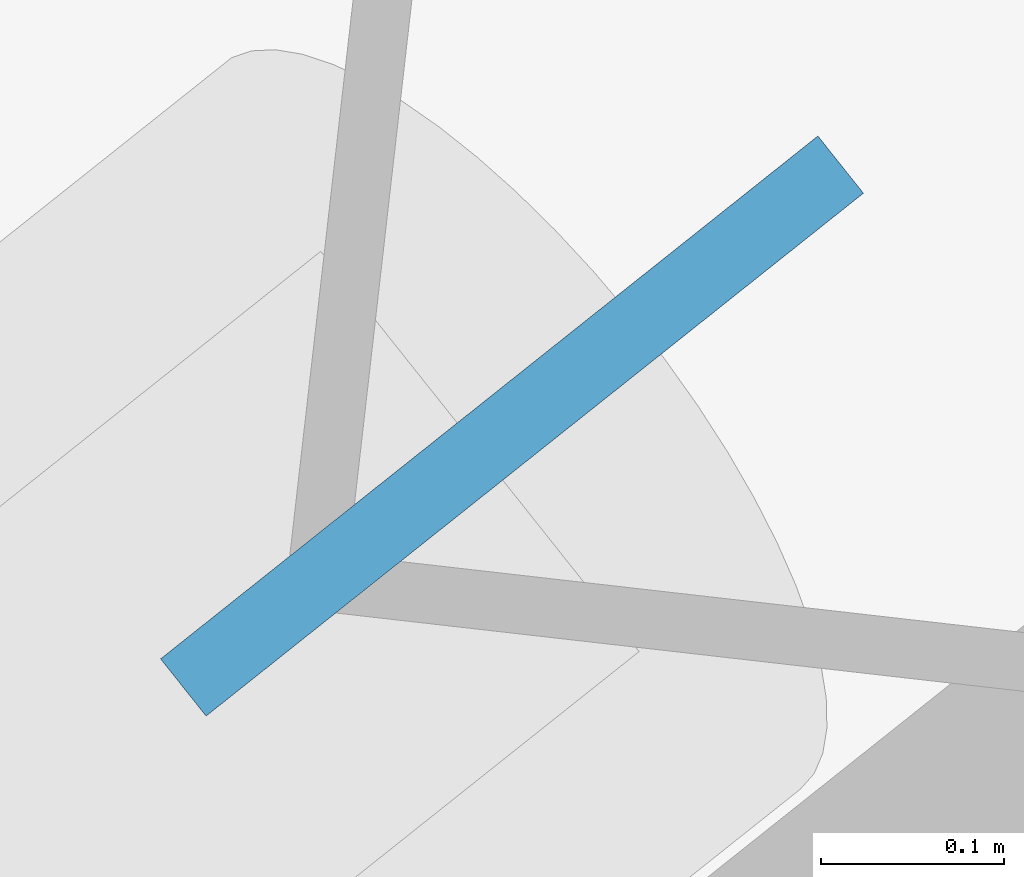
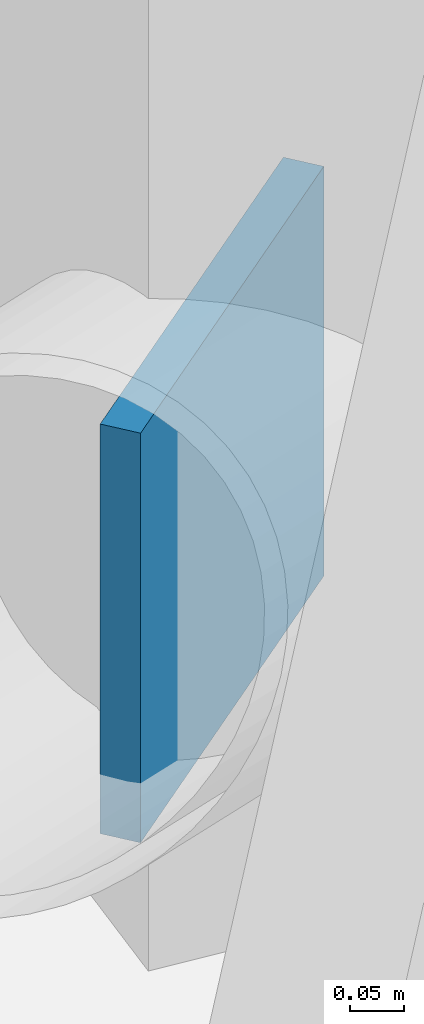
# One storey, part 19 of 22: 1 discrete accessory.
"""IFC4 building model written with IfcOpenShell, lengths in metres."""

import ifcopenshell
import ifcopenshell.guid

model = None  # the IFC model being written
_history = None  # IfcOwnerHistory: only IFC2X3 demands one
_inside = {}  # id of a spatial element -> (the spatial element, [elements in it])
_under = {}  # id of a project, library or spatial element -> (it, [spatial elements below it])
_declared = {}  # id of a project -> (the project, [libraries it declares])
_typed = {}  # id of a type object -> (the type object, [elements of that type])
_made_of = {}  # id of a material, layer set ... -> (it, [elements and type objects made of it])


def new_model(schema):
    """Start an empty IFC model of exactly this schema.

    Asked for "IFC4X3", IfcOpenShell would pick the latest addendum, in which some entities
    have other attributes; the version numbers below select the first issue.
    IFC2X3 requires an IfcOwnerHistory on every rooted entity: one is made here for all.
    """
    global model, _history
    if schema == "IFC4X3":
        model = ifcopenshell.file(schema_version=(4, 3, 0, 0))
    else:
        model = ifcopenshell.file(schema=schema)
    _inside.clear()
    _under.clear()
    _declared.clear()
    _typed.clear()
    _made_of.clear()
    _history = None
    if model.schema == "IFC2X3":
        org = make("IfcOrganization", Name="unknown")
        user = make(
            "IfcPersonAndOrganization",
            ThePerson=make("IfcPerson", FamilyName="unknown"),
            TheOrganization=org,
        )
        app = make(
            "IfcApplication",
            ApplicationDeveloper=org,
            Version="unknown",
            ApplicationFullName="unknown",
            ApplicationIdentifier="unknown",
        )
        _history = make(
            "IfcOwnerHistory",
            OwningUser=user,
            OwningApplication=app,
            ChangeAction="ADDED",
            CreationDate=0,
        )
    return model


def make(cls, **values):
    """One entity of the class cls with the attributes given. An attribute that is None is left unset."""
    return model.create_entity(
        cls, **{name: value for name, value in values.items() if value is not None}
    )


def rooted(cls, **values):
    """An entity with a GlobalId (a new one), such as an element, a storey or a relation."""
    return make(cls, GlobalId=ifcopenshell.guid.new(), OwnerHistory=_history, **values)


def si_unit(unit_type, name, prefix=None):
    """IfcSIUnit, for example si_unit("LENGTHUNIT", "METRE", prefix="MILLI")."""
    return make("IfcSIUnit", UnitType=unit_type, Prefix=prefix, Name=name)


def assignment(units):
    """IfcUnitAssignment: the units of a project."""
    return None if units is None else make("IfcUnitAssignment", Units=units)


def point(xyz):
    """IfcCartesianPoint."""
    return None if xyz is None else make("IfcCartesianPoint", Coordinates=xyz)


def direction(xyz):
    """IfcDirection."""
    return None if xyz is None else make("IfcDirection", DirectionRatios=xyz)


def frame(location, z_axis=None, x_axis=None):
    """IfcAxis2Placement3D, a coordinate frame: its origin and axes. An axis left out is left unset."""
    return make(
        "IfcAxis2Placement3D",
        Location=point(location),
        Axis=direction(z_axis),
        RefDirection=direction(x_axis),
    )


def frame_2d(location, x_axis=None):
    """IfcAxis2Placement2D, a coordinate frame in the plane: its origin and x axis."""
    return make(
        "IfcAxis2Placement2D", Location=point(location), RefDirection=direction(x_axis)
    )


def origin():
    """The frame at (0, 0, 0) with its axes left unset."""
    return frame((0.0, 0.0, 0.0))


def origin_2d():
    """The frame at (0, 0) in the plane with its x axis left unset."""
    return frame_2d((0.0, 0.0))


def place(relative_to, where):
    """IfcLocalPlacement: puts the frame where relative to a parent placement (None: the world)."""
    return make(
        "IfcLocalPlacement", PlacementRelTo=relative_to, RelativePlacement=where
    )


def context(
    kind, dimensions, precision=None, world=None, true_north=None, identifier=None
):
    """IfcGeometricRepresentationContext, for example the 3D "Model" context."""
    return make(
        "IfcGeometricRepresentationContext",
        ContextIdentifier=identifier,
        ContextType=kind,
        CoordinateSpaceDimension=dimensions,
        Precision=precision,
        WorldCoordinateSystem=world,
        TrueNorth=true_north,
    )


def subcontext(parent, identifier, kind, view, scale=None):
    """IfcGeometricRepresentationSubContext, for example "Body" below "Model"."""
    return make(
        "IfcGeometricRepresentationSubContext",
        ContextIdentifier=identifier,
        ContextType=kind,
        ParentContext=parent,
        TargetScale=scale,
        TargetView=view,
    )


def project(units=None, contexts=None):
    """IfcProject with its units and contexts."""
    return rooted(
        "IfcProject",
        Name="project",
        RepresentationContexts=contexts,
        UnitsInContext=assignment(units),
    )


def spatial(cls, under=None, at=None, **own):
    """A site, building, storey or space (cls), placed at a placement, below another one or the project."""
    s = rooted(cls, ObjectPlacement=at, **own)
    if under is not None:
        _under.setdefault(under.id(), (under, []))[1].append(s)
    return s


def profile(cls, at=None, kind="AREA", **sizes):
    """A parametric profile (cls). Its sizes go by their IFC names, for example OverallWidth=200.0."""
    return make(cls, ProfileType=kind, Position=at, **sizes)


def rectangle(**sizes):
    """IfcRectangleProfileDef."""
    return profile("IfcRectangleProfileDef", **sizes)


def extrude(swept, where, along, depth):
    """IfcExtrudedAreaSolid: the profile swept, set in the frame where, extruded along a direction by depth."""
    return make(
        "IfcExtrudedAreaSolid",
        SweptArea=swept,
        Position=where,
        ExtrudedDirection=direction(along),
        Depth=depth,
    )


def shape(context_of_items, identifier, shape_type, items):
    """IfcShapeRepresentation: the items that make up one representation, for example the "Body"."""
    return make(
        "IfcShapeRepresentation",
        ContextOfItems=context_of_items,
        RepresentationIdentifier=identifier,
        RepresentationType=shape_type,
        Items=items,
    )


def material(Name=None, Category=None):
    """IfcMaterial."""
    return make("IfcMaterial", Name=Name, Category=Category)


def made_of(thing, what):
    """Note that an element or type object is made of a material, layer set ...; save() writes the relation."""
    if what is not None:
        _made_of.setdefault(what.id(), (what, []))[1].append(thing)
    return thing


def type_object(cls, material=None, **own):
    """A type object (cls), such as IfcWallType, which elements share."""
    return made_of(rooted(cls, **own), material)


def element(
    cls,
    number,
    at=None,
    inside=None,
    cuts=None,
    type_object=None,
    material=None,
    context=None,
    identifier="Body",
    shape_type=None,
    held_by="IfcProductDefinitionShape",
    body=None,
    shapes=None,
    **own,
):
    """One element of the class cls, such as IfcWall. Its Tag is "e" and its number.

    at: its placement. inside: the storey or other place that contains it. cuts: it is an
    opening in that element (IfcRelVoidsElement). A single representation is given by context,
    identifier, shape_type and body (its items); several are given by shapes. held_by: the class
    of the entity that holds the representations. save() writes the other relations.
    """
    e = rooted(cls, Tag="e%d" % number, ObjectPlacement=at, **own)
    if body is not None:
        shapes = [shape(context, identifier, shape_type, body)]
    if shapes is not None:
        e.Representation = make(held_by, Representations=shapes)
    if inside is not None:
        _inside.setdefault(inside.id(), (inside, []))[1].append(e)
    if cuts is not None:
        rooted(
            "IfcRelVoidsElement", RelatingBuildingElement=cuts, RelatedOpeningElement=e
        )
    if type_object is not None:
        _typed.setdefault(type_object.id(), (type_object, []))[1].append(e)
    return made_of(e, material)


def aggregate(whole, parts):
    """IfcRelAggregates: a whole, such as a stair, and the parts it consists of."""
    return rooted("IfcRelAggregates", RelatingObject=whole, RelatedObjects=parts)


def save(model, path):
    """Write the relations noted so far, then the file.

    IfcRelAggregates (storeys below a building ...), IfcRelContainedInSpatialStructure (elements
    in a storey), IfcRelDefinesByType, IfcRelAssociatesMaterial and IfcRelDeclares: one each for
    every whole, place, type object, material and project.
    """
    for whole, parts in _under.values():
        aggregate(whole, parts)
    for where, things in _inside.values():
        rooted(
            "IfcRelContainedInSpatialStructure",
            RelatedElements=things,
            RelatingStructure=where,
        )
    for kind, things in _typed.values():
        rooted("IfcRelDefinesByType", RelatedObjects=things, RelatingType=kind)
    for what, things in _made_of.values():
        rooted("IfcRelAssociatesMaterial", RelatedObjects=things, RelatingMaterial=what)
    for by, libraries in _declared.values():
        rooted("IfcRelDeclares", RelatingContext=by, RelatedDefinitions=libraries)
    model.write(path)


model = new_model("IFC4")

# Units and contexts
model_context = context("Model", 3, precision=1e-05, world=origin(), true_north=direction((0.0, 1.0)))
body_context = subcontext(model_context, "Body", "Model", "MODEL_VIEW")
ifc_project = project(units=[si_unit("LENGTHUNIT", "METRE"), si_unit("AREAUNIT", "SQUARE_METRE"), si_unit("VOLUMEUNIT", "CUBIC_METRE"), si_unit("PLANEANGLEUNIT", "RADIAN"), si_unit("MASSUNIT", "GRAM", prefix="KILO")], contexts=[model_context])

# Site, building, storey
site_placement = place(None, origin())
site = spatial("IfcSite", under=ifc_project, at=site_placement, CompositionType="ELEMENT")
building_placement = place(site_placement, origin())
building = spatial("IfcBuilding", under=site, at=building_placement, Name="Tavrogorsk Clinical Tower", CompositionType="ELEMENT")
storey_placement = place(building_placement, frame((0.0, 0.0, 93.39990234375)))
storey = spatial("IfcBuildingStorey", under=building, at=storey_placement, Name="L20", CompositionType="ELEMENT", Elevation=93.39990234375)

# Discrete accessory
ifc_material = material(Name="Structural steel S440", Category="steel")
discrete_accessory_type = type_object("IfcDiscreteAccessoryType", Name="GussetPlateBracket_25", PredefinedType="BRACKET", material=ifc_material)
discrete_accessory_placement = place(storey_placement, frame((-27.045654296875, 25.592041015625, 0.195068359375), z_axis=(0.0, 0.0, 1.0), x_axis=(-0.782608156852, -0.622514636638, 0.0)))
element("IfcDiscreteAccessory", 1, at=discrete_accessory_placement, inside=storey, type_object=discrete_accessory_type, Name="L20 Brace Gusset Plate EXOCRN-L20-3-A", PredefinedType="BRACKET", context=body_context, shape_type="SweptSolid", body=[
    extrude(rectangle(XDim=0.4599609375, YDim=0.0400390625, at=origin_2d()), origin(), (0.0, 0.0, 1.0), 0.4599609375),
])

save(model, "model.ifc")
